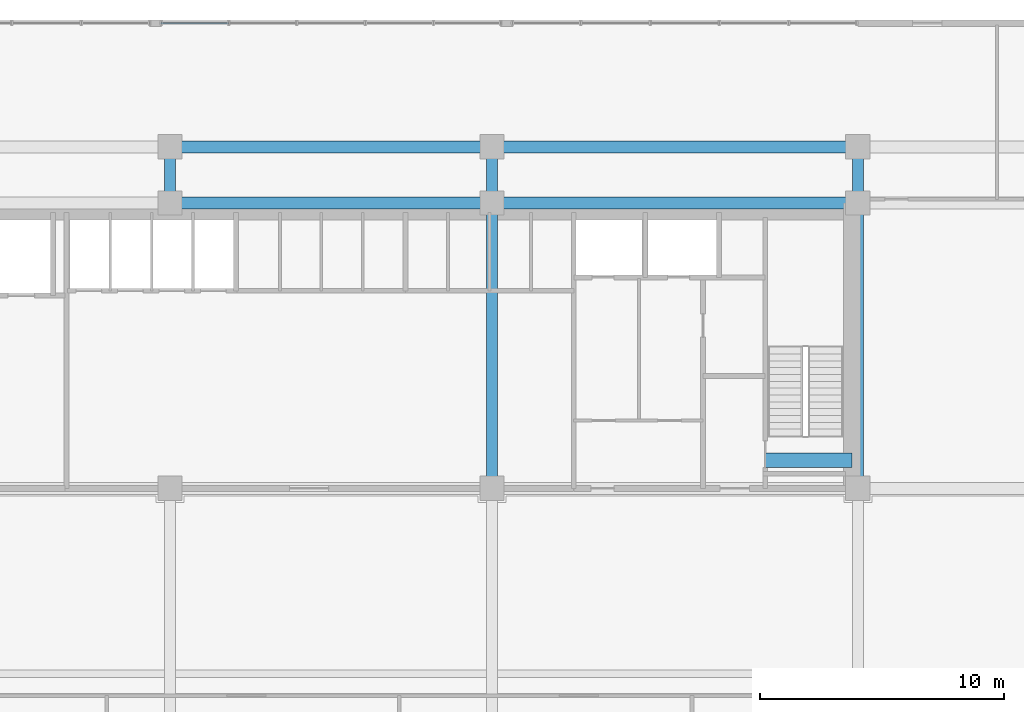
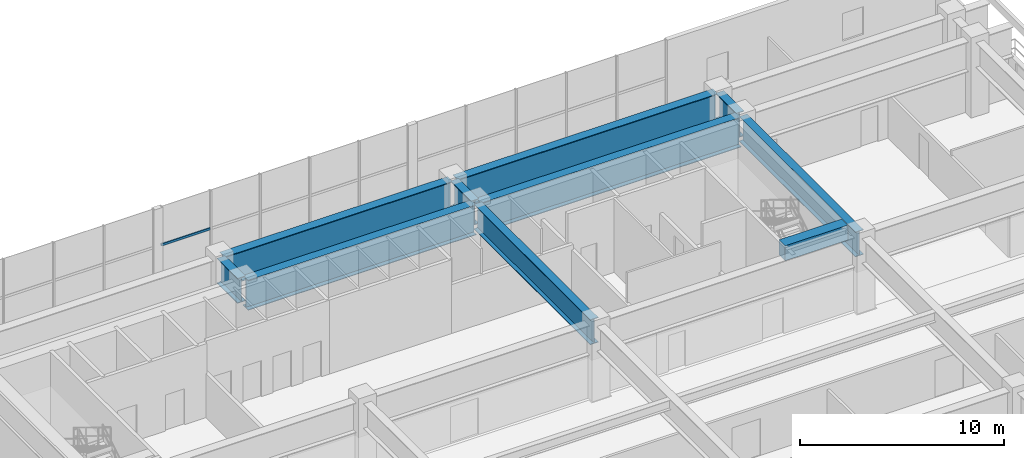
# One storey, part 5 of 17: 10 beams, 1 member, 1 element without a shape of its own.
"""IFC4 building model written with IfcOpenShell, lengths in metres."""

from ifc_helpers import new_model, si_unit, direction, frame, origin, origin_2d, place, context, subcontext, project, spatial, rectangle, hollow_rectangle, i_section, extrude, source, transform, mapped, material, material_profile, profile_set, type_object, element, aggregate, save


model = new_model("IFC4")

# Units and contexts
model_context = context("Model", 3, precision=1e-05, world=origin(), true_north=direction((0.0, 1.0)))
body_context = subcontext(model_context, "Body", "Model", "MODEL_VIEW")
ifc_project = project(units=[si_unit("LENGTHUNIT", "METRE"), si_unit("AREAUNIT", "SQUARE_METRE"), si_unit("VOLUMEUNIT", "CUBIC_METRE"), si_unit("PLANEANGLEUNIT", "RADIAN"), si_unit("MASSUNIT", "GRAM", prefix="KILO")], contexts=[model_context])

# Site, building, storey
site_placement = place(None, origin())
site = spatial("IfcSite", under=ifc_project, at=site_placement, CompositionType="ELEMENT")
building_placement = place(site_placement, origin())
building = spatial("IfcBuilding", under=site, at=building_placement, Name="Trelvane Seafront Commons", CompositionType="ELEMENT")
storey_placement = place(building_placement, frame((0.0, 0.0, 18.699951171875)))
storey = spatial("IfcBuildingStorey", under=building, at=storey_placement, Name="L04", CompositionType="ELEMENT", Elevation=18.699951171875)

# Beams
ifc_material_1 = material(Name="Concrete C60/75", Category="concrete")
ifc_material_profile_1 = material_profile(ifc_material_1, rectangle(XDim=0.60009765625, YDim=0.89990234375, at=origin_2d()), Name="RC-600x900")
ifc_profile_set_1 = profile_set([ifc_material_profile_1], Name="Concrete C60/75")
beam_type_1 = type_object("IfcBeamType", Name="STR-LNT-RC600x900", PredefinedType="LINTEL", material=ifc_profile_set_1)
shared_shape_1 = source(origin(), body_context, "Body", "SweptSolid", [
    extrude(rectangle(XDim=0.60009765625, YDim=0.89990234375, at=origin_2d()), origin(), (0.0, 0.0, 1.0), 3.550048828125),
])
beam_placement = place(storey_placement, frame((55.0, 34.550048828125, 3.969970703125), z_axis=(1.0, 0.0, 0.0), x_axis=(0.0, 1.0, 0.0)))
element("IfcBeam", 1, at=beam_placement, inside=storey, type_object=beam_type_1, Name="L04 Core Coupling Lintel Beam CB-72", PredefinedType="LINTEL", context=body_context, shape_type="MappedRepresentation", body=[
    mapped(shared_shape_1, transform((0.0, 0.0, 0.0), x_axis=(1.0, 0.0, 0.0), y_axis=(0.0, 1.0, 0.0), z_axis=(0.0, 0.0, 1.0), scale=1.0)),
])
ifc_material_2 = material(Name="Steel SM355 (S355)", Category="steel")
ifc_material_profile_2 = material_profile(ifc_material_2, i_section(OverallWidth=0.5, OverallDepth=1.800048828125, WebThickness=0.02392578125, FlangeThickness=0.0400390625, at=origin_2d()), Name="W-1800x500x24x40")
ifc_profile_set_2 = profile_set([ifc_material_profile_2], Name="Steel SM355 (S355)")
beam_type_2 = type_object("IfcBeamType", Name="STR-TRG-W1800", PredefinedType="BEAM", material=ifc_profile_set_2)
shared_shape_2 = source(origin(), body_context, "Body", "SweptSolid", [
    extrude(i_section(OverallWidth=0.5, OverallDepth=1.800048828125, WebThickness=0.02392578125, FlangeThickness=0.0400390625, at=origin_2d()), origin(), (0.0, 0.0, 1.0), 14.699951171875),
])
for number, where, z_axis, x_axis, name in (
    (2, (43.949951171875, 45.10009765625, 3.52001953125), (1.0, 0.0, 0.0), (0.0, 1.0, 0.0), "L04 Transfer Girder TG-23"),
    (3, (43.949951171875, 47.39990234375, 3.52001953125), (1.0, 0.0, 0.0), (0.0, 1.0, 0.0), "L04 Transfer Girder TG-29"),
):
    element("IfcBeam", number, at=place(storey_placement, frame(where, z_axis=z_axis, x_axis=x_axis)), inside=storey, type_object=beam_type_2, Name=name, PredefinedType="BEAM", context=body_context, shape_type="MappedRepresentation", body=[
        mapped(shared_shape_2, transform((0.0, 0.0, 0.0), x_axis=(1.0, 0.0, 0.0), y_axis=(0.0, 1.0, 0.0), z_axis=(0.0, 0.0, 1.0), scale=1.0)),
    ])
shared_shape_3 = source(origin(), body_context, "Body", "SweptSolid", [
    extrude(i_section(OverallWidth=0.5, OverallDepth=1.800048828125, WebThickness=0.02392578125, FlangeThickness=0.0400390625, at=origin_2d()), origin(), (0.0, 0.0, 1.0), 12.89990234375),
])
for number, where, z_axis, x_axis, name in (
    (4, (30.75, 45.10009765625, 3.52001953125), (1.0, 0.0, 0.0), (0.0, 1.0, 0.0), "L04 Transfer Girder TG-22"),
    (5, (30.75, 47.39990234375, 3.52001953125), (1.0, 0.0, 0.0), (0.0, 1.0, 0.0), "L04 Transfer Girder TG-28"),
):
    element("IfcBeam", number, at=place(storey_placement, frame(where, z_axis=z_axis, x_axis=x_axis)), inside=storey, type_object=beam_type_2, Name=name, PredefinedType="BEAM", context=body_context, shape_type="MappedRepresentation", body=[
        mapped(shared_shape_3, transform((0.0, 0.0, 0.0), x_axis=(1.0, 0.0, 0.0), y_axis=(0.0, 1.0, 0.0), z_axis=(0.0, 0.0, 1.0), scale=1.0)),
    ])
ifc_material_profile_3 = material_profile(ifc_material_2, i_section(OverallWidth=0.449951171875, OverallDepth=1.5, WebThickness=0.02197265625, FlangeThickness=0.0380859375, at=origin_2d()), Name="W-1500x450x22x38")
ifc_profile_set_3 = profile_set([ifc_material_profile_3], Name="Steel SM355 (S355)")
beam_type_3 = type_object("IfcBeamType", Name="STR-TRG-W1500", PredefinedType="BEAM", material=ifc_profile_set_3)
shared_shape_4 = source(origin(), body_context, "Body", "SweptSolid", [
    extrude(i_section(OverallWidth=0.449951171875, OverallDepth=1.5, WebThickness=0.02197265625, FlangeThickness=0.0380859375, at=origin_2d()), origin(), (0.0, 0.0, 1.0), 11.39990234375),
])
for number, where, z_axis, x_axis, name in (
    (6, (43.800048828125, 33.550048828125, 3.670166015625), (0.0, 1.0, 0.0), (-1.0, 0.0, 0.0), "L04 Transfer Girder TG-49"),
    (7, (58.800048828125, 33.550048828125, 3.670166015625), (0.0, 1.0, 0.0), (-1.0, 0.0, 0.0), "L04 Transfer Girder TG-53"),
):
    element("IfcBeam", number, at=place(storey_placement, frame(where, z_axis=z_axis, x_axis=x_axis)), inside=storey, type_object=beam_type_3, Name=name, PredefinedType="BEAM", context=body_context, shape_type="MappedRepresentation", body=[
        mapped(shared_shape_4, transform((0.0, 0.0, 0.0), x_axis=(1.0, 0.0, 0.0), y_axis=(0.0, 1.0, 0.0), z_axis=(0.0, 0.0, 1.0), scale=1.0)),
    ])
shared_shape_5 = source(origin(), body_context, "Body", "SweptSolid", [
    extrude(i_section(OverallWidth=0.449951171875, OverallDepth=1.5, WebThickness=0.02197265625, FlangeThickness=0.0380859375, at=origin_2d()), origin(), (0.0, 0.0, 1.0), 2.0),
])
for number, where, z_axis, x_axis, name in (
    (8, (30.60009765625, 45.25, 3.670166015625), (0.0, 1.0, 0.0), (-1.0, 0.0, 0.0), "L04 Transfer Girder TG-46"),
    (9, (43.800048828125, 45.25, 3.670166015625), (0.0, 1.0, 0.0), (-1.0, 0.0, 0.0), "L04 Transfer Girder TG-50"),
    (10, (58.800048828125, 45.25, 3.670166015625), (0.0, 1.0, 0.0), (-1.0, 0.0, 0.0), "L04 Transfer Girder TG-54"),
):
    element("IfcBeam", number, at=place(storey_placement, frame(where, z_axis=z_axis, x_axis=x_axis)), inside=storey, type_object=beam_type_3, Name=name, PredefinedType="BEAM", context=body_context, shape_type="MappedRepresentation", body=[
        mapped(shared_shape_5, transform((0.0, 0.0, 0.0), x_axis=(1.0, 0.0, 0.0), y_axis=(0.0, 1.0, 0.0), z_axis=(0.0, 0.0, 1.0), scale=1.0)),
    ])

# Curtain wall, member
ifc_material_3 = material(Name="Anodised pale-silver aluminium", Category="aluminium")
curtain_wall_type = type_object("IfcCurtainWallType", Name="ARCH-CW1-PODIUM", PredefinedType="NOTDEFINED", material=ifc_material_3)
curtain_wall_placement = place(storey_placement, origin())
curtain_wall = element("IfcCurtainWall", 11, at=curtain_wall_placement, inside=storey, type_object=curtain_wall_type, Name="CW-L04-0026", PredefinedType="NOTDEFINED")
ifc_material_profile_4 = material_profile(ifc_material_3, hollow_rectangle(XDim=0.074951171875, YDim=0.139892578125, WallThickness=0.00390625, at=origin_2d()), Name="TRAN-75x140x4")
ifc_profile_set_4 = profile_set([ifc_material_profile_4], Name="Anodised pale-silver aluminium")
member_type = type_object("IfcMemberType", Name="ARCH-CW-TRAN-140", PredefinedType="USERDEFINED", material=ifc_profile_set_4)
shared_shape_6 = source(origin(), body_context, "Body", "SweptSolid", [
    extrude(hollow_rectangle(XDim=0.074951171875, YDim=0.139892578125, WallThickness=0.00390625, at=origin_2d()), origin(), (0.0, 0.0, 1.0), 2.776123046875),
])
member_placement = place(storey_placement, frame((30.2119140625, 52.469970703125, 2.1220703125), z_axis=(1.0, 0.0, 0.0), x_axis=(0.0, 1.0, 0.0)))
member = element("IfcMember", 12, at=member_placement, type_object=member_type, Name="CW-L04-0026-T00", ObjectType="TRANSOM", PredefinedType="USERDEFINED", context=body_context, shape_type="MappedRepresentation", body=[
    mapped(shared_shape_6, transform((0.0, 0.0, 0.0), x_axis=(1.0, 0.0, 0.0), y_axis=(0.0, 1.0, 0.0), z_axis=(0.0, 0.0, 1.0), scale=1.0)),
])
aggregate(curtain_wall, [member])

save(model, "model.ifc")
